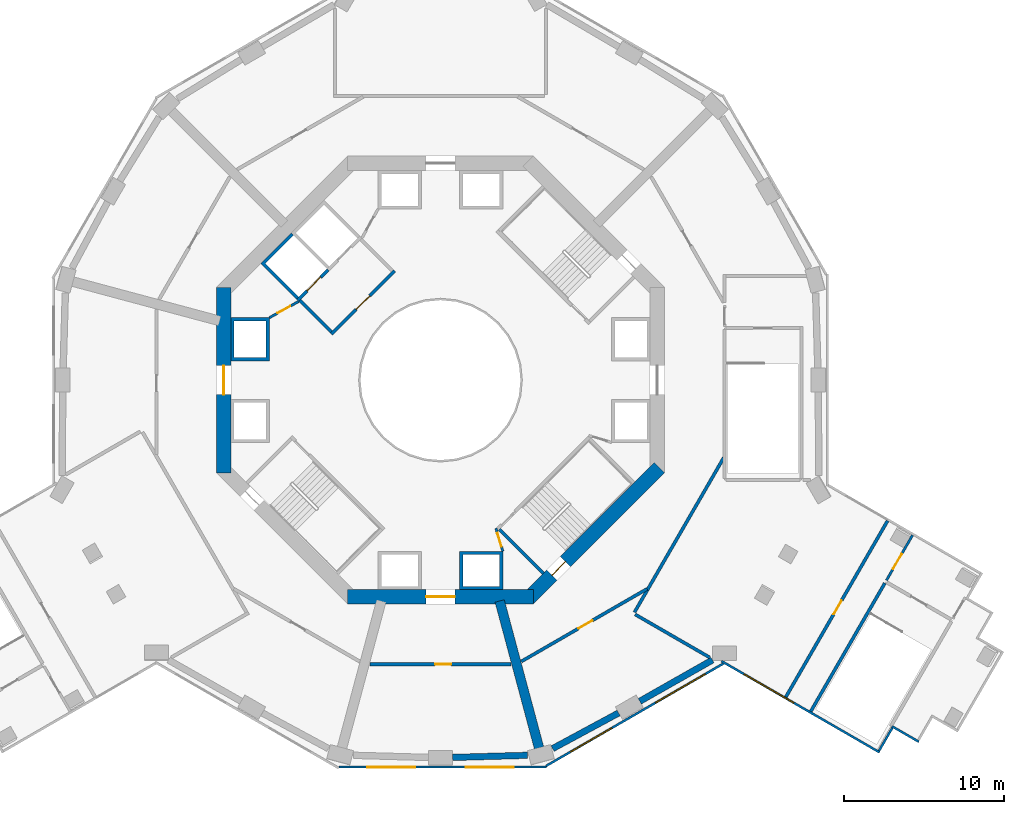
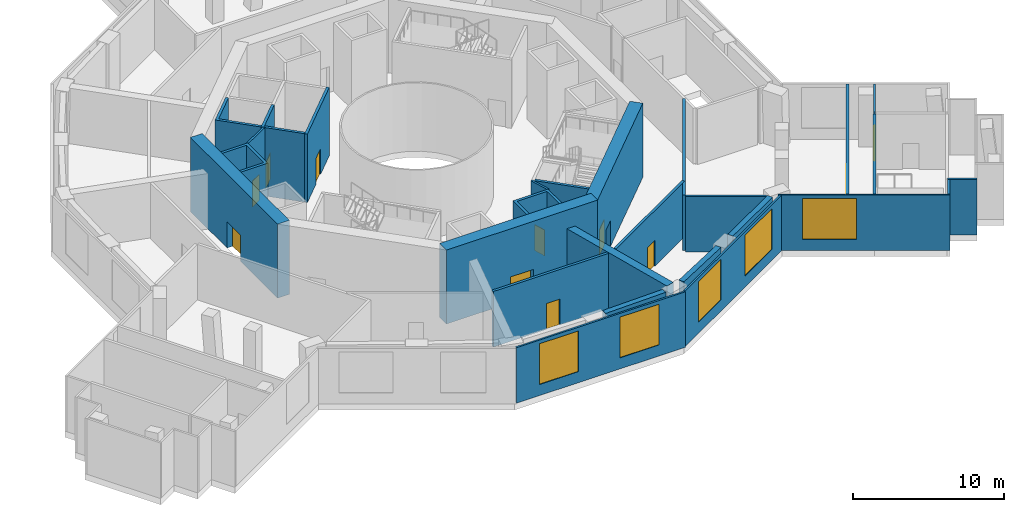
# One storey, part 3 of 12: 28 walls, 11 doors, 5 windows, 16 openings.
"""IFC4 building model written with IfcOpenShell, lengths in metres."""

from ifc_helpers import new_model, si_unit, direction, frame, frame_2d, origin, place, context, subcontext, project, spatial, polyline, rectangle, outline, extrude, material, layer, layer_set, type_object, element, fill, save


model = new_model("IFC4")

# Units and contexts
model_context = context("Model", 3, precision=1e-05, world=origin(), true_north=direction((0.0, 1.0)))
body_context = subcontext(model_context, "Body", "Model", "MODEL_VIEW")
ifc_project = project(units=[si_unit("LENGTHUNIT", "METRE"), si_unit("AREAUNIT", "SQUARE_METRE"), si_unit("VOLUMEUNIT", "CUBIC_METRE"), si_unit("PLANEANGLEUNIT", "RADIAN"), si_unit("MASSUNIT", "GRAM", prefix="KILO")], contexts=[model_context])

# Site, building, storey
site_placement = place(None, origin())
site = spatial("IfcSite", under=ifc_project, at=site_placement, CompositionType="ELEMENT")
building_placement = place(site_placement, origin())
building = spatial("IfcBuilding", under=site, at=building_placement, Name="Verdalira Terraces Hotel", CompositionType="ELEMENT")
storey_placement = place(building_placement, frame((0.0, 0.0, 28.0)))
storey = spatial("IfcBuildingStorey", under=building, at=storey_placement, Name="L05", CompositionType="ELEMENT", Elevation=28.0)

# Walls
ifc_material_1 = material(Name="Concrete C70", Category="concrete")
ifc_layer_1 = layer(ifc_material_1, 0.39990234375)
ifc_layer_set_1 = layer_set([ifc_layer_1], Name="Belt wall 400 C70")
wall_type_1 = type_object("IfcWallType", Name="Belt wall 400 C70", PredefinedType="SHEAR", material=ifc_layer_set_1)
wall_1_placement = place(storey_placement, frame((0.762207, -23.586426, 0.0), z_axis=(0.0, 0.0, 1.0), x_axis=(0.99958902, 0.028666908, 0.0)))
element("IfcWall", 1, at=wall_1_placement, inside=storey, type_object=wall_type_1, Name="Belt wall BW-05-10", PredefinedType="SHEAR", context=body_context, shape_type="SweptSolid", body=[
    extrude(rectangle(XDim=4.684082, YDim=0.399902, at=frame_2d((2.342041, 0.0))), origin(), (0.0, 0.0, 1.0), 4.5),
])
wall_2_placement = place(storey_placement, frame((7.01123, -23.032471, 0.0), z_axis=(0.0, 0.0, 1.0), x_axis=(0.879988629, 0.474994751, 0.0)))
element("IfcWall", 2, at=wall_2_placement, inside=storey, type_object=wall_type_1, Name="Belt wall BW-05-11", PredefinedType="SHEAR", context=body_context, shape_type="SweptSolid", body=[
    extrude(rectangle(XDim=4.683838, YDim=0.399902, at=frame_2d((2.341797, 0.0))), origin(), (0.0, 0.0, 1.0), 4.5),
])
wall_3_placement = place(storey_placement, frame((12.459229, -20.073486, 0.0), z_axis=(0.0, 0.0, 1.0), x_axis=(0.869667461, 0.493638034, 0.0)))
element("IfcWall", 3, at=wall_3_placement, inside=storey, type_object=wall_type_1, Name="Belt wall BW-05-12", PredefinedType="SHEAR", context=body_context, shape_type="SweptSolid", body=[
    extrude(rectangle(XDim=5.21875, YDim=0.399902, at=frame_2d((2.609375, 0.0))), origin(), (0.0, 0.0, 1.0), 4.5),
])
ifc_material_2 = material(Name="Concrete C50", Category="concrete")
ifc_layer_2 = layer(ifc_material_2, 0.199951171875)
ifc_layer_set_2 = layer_set([ifc_layer_2], Name="Core RC wall 200 C50")
wall_type_2 = type_object("IfcWallType", Name="Core RC wall 200 C50", PredefinedType="SOLIDWALL", material=ifc_layer_set_2)
wall_4_placement = place(storey_placement, origin())
element("IfcWall", 4, at=wall_4_placement, inside=storey, type_object=wall_type_2, Name="L05 shaft wall W1", PredefinedType="SOLIDWALL", context=body_context, shape_type="SweptSolid", body=[
    extrude(outline(polyline([(-13.100098, 1.199951), (-13.100098, 3.899902), (-10.699951, 3.899902), (-10.699951, 1.199951), (-13.100098, 1.199951)]), holes=[polyline([(-10.899902, 3.699951), (-12.899902, 3.699951), (-12.899902, 1.399902), (-10.899902, 1.399902), (-10.899902, 3.699951)])]), origin(), (0.0, 0.0, 1.0), 5.550049),
])
wall_5_placement = place(storey_placement, origin())
element("IfcWall", 5, at=wall_5_placement, inside=storey, type_object=wall_type_2, Name="L05 shaft wall S2", PredefinedType="SOLIDWALL", context=body_context, shape_type="SweptSolid", body=[
    extrude(outline(polyline([(3.899902, -10.699951), (3.899902, -13.100098), (1.199951, -13.100098), (1.199951, -10.699951), (3.899902, -10.699951)]), holes=[polyline([(1.399902, -12.899902), (3.699951, -12.899902), (3.699951, -10.899902), (1.399902, -10.899902), (1.399902, -12.899902)])]), origin(), (0.0, 0.0, 1.0), 5.550049),
])
wall_6_placement = place(storey_placement, origin())
element("IfcWall", 6, at=wall_6_placement, inside=storey, type_object=wall_type_2, Name="L05 shaft wall F2", PredefinedType="SOLIDWALL", context=body_context, shape_type="SweptSolid", body=[
    extrude(outline(polyline([(-11.24292, 7.283203), (-9.33374, 9.192383), (-9.192383, 9.051025), (-10.960205, 7.283203), (-8.874268, 5.197266), (-9.015625, 5.055908), (-11.24292, 7.283203)])), origin(), (0.0, 0.0, 1.0), 5.550049),
])

# Wall, opening, door
wall_7_placement = place(storey_placement, frame((-7.035645, 6.894287, 0.0), z_axis=(0.0, 0.0, 1.0), x_axis=(-0.707106781, -0.707106781, 0.0)))
wall_7 = element("IfcWall", 7, at=wall_7_placement, inside=storey, type_object=wall_type_2, Name="L05 shaft front wall F2", PredefinedType="SOLIDWALL", context=body_context, shape_type="SweptSolid", body=[
    extrude(rectangle(XDim=2.699951, YDim=0.199951, at=frame_2d((1.350098, 0.0))), origin(), (0.0, 0.0, 1.0), 5.550049),
])
opening_1_placement = place(wall_7_placement, frame((0.649902, 0.0, 0.0)))
opening_1 = element("IfcOpeningElement", 8, at=opening_1_placement, cuts=wall_7, Name="Opening LD-L05-802", PredefinedType="OPENING", context=body_context, shape_type="SweptSolid", body=[
    extrude(rectangle(XDim=1.199951, YDim=2.100098, at=frame_2d((0.600098, 1.050049))), frame((0.0, 0.109863, 0.0), z_axis=(0.0, -1.0, 0.0), x_axis=(1.0, 0.0, 0.0)), (0.0, 0.0, 1.0), 0.219971),
])
ifc_material_3 = material(Name="Stainless steel", Category="steel")
door_type_1 = type_object("IfcDoorType", Name="Landing door 1200 x 2100", OperationType="NOTDEFINED", PredefinedType="DOOR", material=ifc_material_3)
door_1_placement = place(opening_1_placement, origin())
door_1 = element("IfcDoor", 9, at=door_1_placement, inside=storey, type_object=door_type_1, Name="Lift landing door LF12 L05", OperationType="DOUBLE_DOOR_SLIDING", OverallHeight=2.10009765625, OverallWidth=1.199951171875, PredefinedType="DOOR", context=body_context, shape_type="SweptSolid", body=[
    extrude(rectangle(XDim=1.199951, YDim=2.100098, at=frame_2d((0.600098, 1.050049))), frame((0.0, 0.024902, 0.0), z_axis=(0.0, -1.0, 0.0), x_axis=(1.0, 0.0, 0.0)), (0.0, 0.0, 1.0), 0.050049),
])
fill(opening_1, door_1)

# Wall
wall_8_placement = place(storey_placement, frame((3.677002, -9.33374, 0.0), z_axis=(0.0, 0.0, 1.0), x_axis=(0.707106781, -0.707106781, 0.0)))
element("IfcWall", 10, at=wall_8_placement, inside=storey, type_object=wall_type_2, Name="L05 stair ST3 end wall 1", PredefinedType="SOLIDWALL", context=body_context, shape_type="SweptSolid", body=[
    extrude(rectangle(XDim=3.900146, YDim=0.199951, at=frame_2d((1.950195, 0.0))), origin(), (0.0, 0.0, 1.0), 5.550049),
])

# Wall, opening, door
wall_9_placement = place(storey_placement, frame((-2.86377, 6.823486, 0.0), z_axis=(0.0, 0.0, 1.0), x_axis=(-0.707106781, -0.707106781, 0.0)))
wall_9 = element("IfcWall", 11, at=wall_9_placement, inside=storey, type_object=wall_type_2, Name="L05 fire lobby wall", PredefinedType="SOLIDWALL", context=body_context, shape_type="SweptSolid", body=[
    extrude(rectangle(XDim=5.599854, YDim=0.199951, at=frame_2d((2.799805, 0.0))), origin(), (0.0, 0.0, 1.0), 5.550049),
])
opening_2_placement = place(wall_9_placement, frame((2.199951, 0.0, 0.0)))
opening_2 = element("IfcOpeningElement", 12, at=opening_2_placement, cuts=wall_9, Name="Opening L05-813", PredefinedType="OPENING", context=body_context, shape_type="SweptSolid", body=[
    extrude(rectangle(XDim=1.199951, YDim=2.100098, at=frame_2d((0.600098, 1.050049))), frame((0.0, 0.109863, 0.0), z_axis=(0.0, -1.0, 0.0), x_axis=(1.0, 0.0, 0.0)), (0.0, 0.0, 1.0), 0.219971),
])
ifc_material_4 = material(Name="Steel fire door", Category="steel")
door_type_2 = type_object("IfcDoorType", Name="Lobby door 1200 x 2100", OperationType="NOTDEFINED", PredefinedType="DOOR", material=ifc_material_4)
door_2_placement = place(opening_2_placement, origin())
door_2 = element("IfcDoor", 13, at=door_2_placement, inside=storey, type_object=door_type_2, Name="Fire lobby door L05", OperationType="SINGLE_SWING_LEFT", OverallHeight=2.10009765625, OverallWidth=1.199951171875, PredefinedType="DOOR", context=body_context, shape_type="SweptSolid", body=[
    extrude(rectangle(XDim=1.199951, YDim=2.100098, at=frame_2d((0.600098, 1.050049))), frame((0.0, 0.024902, 0.0), z_axis=(0.0, -1.0, 0.0), x_axis=(1.0, 0.0, 0.0)), (0.0, 0.0, 1.0), 0.050049),
])
fill(opening_2, door_2)

# Wall
wall_10_placement = place(storey_placement, frame((-6.823486, 3.005127, 0.0), z_axis=(0.0, 0.0, 1.0), x_axis=(-0.707106781, 0.707106781, 0.0)))
element("IfcWall", 14, at=wall_10_placement, inside=storey, type_object=wall_type_2, Name="L05 fire lobby wall", PredefinedType="SOLIDWALL", context=body_context, shape_type="SweptSolid", body=[
    extrude(rectangle(XDim=2.800049, YDim=0.199951, at=frame_2d((1.399902, 0.0))), origin(), (0.0, 0.0, 1.0), 5.550049),
])

# Wall, opening, door
ifc_material_5 = material(Name="Gypsum board partition")
ifc_layer_3 = layer(ifc_material_5, 0.14990234375)
ifc_layer_set_3 = layer_set([ifc_layer_3], Name="Core partition 150 mm")
wall_type_3 = type_object("IfcWallType", Name="Core partition 150 mm", PredefinedType="PARTITIONING", material=ifc_layer_set_3)
wall_11_placement = place(storey_placement, frame((-8.874268, 4.914307, 0.0), z_axis=(0.0, 0.0, 1.0), x_axis=(-0.874129705, -0.485692555, 0.0)))
wall_11 = element("IfcWall", 15, at=wall_11_placement, inside=storey, type_object=wall_type_3, Name="Room partition L05", PredefinedType="PARTITIONING", context=body_context, shape_type="SweptSolid", body=[
    extrude(rectangle(XDim=2.088623, YDim=0.149902, at=frame_2d((1.044434, 0.0))), origin(), (0.0, 0.0, 1.0), 5.550049),
])
opening_3_placement = place(wall_11_placement, frame((0.594238, 0.0, 0.0)))
opening_3 = element("IfcOpeningElement", 16, at=opening_3_placement, cuts=wall_11, Name="Opening L05-815", PredefinedType="OPENING", context=body_context, shape_type="SweptSolid", body=[
    extrude(rectangle(XDim=0.899902, YDim=2.100098, at=frame_2d((0.449951, 1.050049))), frame((0.0, 0.084961, 0.0), z_axis=(0.0, -1.0, 0.0), x_axis=(1.0, 0.0, 0.0)), (0.0, 0.0, 1.0), 0.169922),
])
ifc_material_6 = material(Name="Steel fire door", Category="steel")
door_type_3 = type_object("IfcDoorType", Name="Core room door 900 x 2100", OperationType="NOTDEFINED", PredefinedType="DOOR", material=ifc_material_6)
door_3_placement = place(opening_3_placement, origin())
door_3 = element("IfcDoor", 17, at=door_3_placement, inside=storey, type_object=door_type_3, Name="Door L05 room3", OperationType="SINGLE_SWING_LEFT", OverallHeight=2.10009765625, OverallWidth=0.89990234375, PredefinedType="DOOR", context=body_context, shape_type="SweptSolid", body=[
    extrude(rectangle(XDim=0.899902, YDim=2.100098, at=frame_2d((0.449951, 1.050049))), frame((0.0, 0.024902, 0.0), z_axis=(0.0, -1.0, 0.0), x_axis=(1.0, 0.0, 0.0)), (0.0, 0.0, 1.0), 0.050049),
])
fill(opening_3, door_3)

wall_12_placement = place(storey_placement, frame((3.899902, -10.699951, 0.0), z_axis=(0.0, 0.0, 1.0), x_axis=(-0.289808785, 0.957084567, 0.0)))
wall_12 = element("IfcWall", 18, at=wall_12_placement, inside=storey, type_object=wall_type_3, Name="Room partition L05", PredefinedType="PARTITIONING", context=body_context, shape_type="SweptSolid", body=[
    extrude(rectangle(XDim=1.501221, YDim=0.149902, at=frame_2d((0.750488, 0.0))), origin(), (0.0, 0.0, 1.0), 5.550049),
])
opening_4_placement = place(wall_12_placement, frame((0.300781, 0.0, 0.0)))
opening_4 = element("IfcOpeningElement", 19, at=opening_4_placement, cuts=wall_12, Name="Opening L05-816", PredefinedType="OPENING", context=body_context, shape_type="SweptSolid", body=[
    extrude(rectangle(XDim=0.899902, YDim=2.100098, at=frame_2d((0.449951, 1.050049))), frame((0.0, 0.084961, 0.0), z_axis=(0.0, -1.0, 0.0), x_axis=(1.0, 0.0, 0.0)), (0.0, 0.0, 1.0), 0.169922),
])
door_4_placement = place(opening_4_placement, origin())
door_4 = element("IfcDoor", 20, at=door_4_placement, inside=storey, type_object=door_type_3, Name="Door L05 room6", OperationType="SINGLE_SWING_LEFT", OverallHeight=2.10009765625, OverallWidth=0.89990234375, PredefinedType="DOOR", context=body_context, shape_type="SweptSolid", body=[
    extrude(rectangle(XDim=0.899902, YDim=2.100098, at=frame_2d((0.449951, 1.050049))), frame((0.0, 0.024902, 0.0), z_axis=(0.0, -1.0, 0.0), x_axis=(1.0, 0.0, 0.0)), (0.0, 0.0, 1.0), 0.050049),
])
fill(opening_4, door_4)

ifc_material_7 = material(Name="Concrete C70", Category="concrete")
ifc_layer_4 = layer(ifc_material_7, 0.89990234375)
ifc_layer_set_4 = layer_set([ifc_layer_4], Name="Core wall 900 C70")
wall_type_4 = type_object("IfcWallType", Name="Core wall 900 C70", PredefinedType="SHEAR", material=ifc_layer_set_4)
wall_13_placement = place(storey_placement, frame((-13.550049, 5.799072, 0.0), z_axis=(0.0, 0.0, 1.0), x_axis=(0.0, -1.0, 0.0)))
wall_13 = element("IfcWall", 21, at=wall_13_placement, inside=storey, type_object=wall_type_4, Name="Core wall CW-L05-5", PredefinedType="SHEAR", context=body_context, shape_type="SweptSolid", body=[
    extrude(rectangle(XDim=11.598145, YDim=0.899902, at=frame_2d((5.799072, 0.0))), origin(), (0.0, 0.0, 1.0), 6.0),
])
opening_5_placement = place(wall_13_placement, frame((4.898926, 0.0, 0.0)))
opening_5 = element("IfcOpeningElement", 22, at=opening_5_placement, cuts=wall_13, Name="Opening L05-808", PredefinedType="OPENING", context=body_context, shape_type="SweptSolid", body=[
    extrude(rectangle(XDim=1.800049, YDim=2.100098, at=frame_2d((0.899902, 1.050049))), frame((0.0, 0.459961, 0.0), z_axis=(0.0, -1.0, 0.0), x_axis=(1.0, 0.0, 0.0)), (0.0, 0.0, 1.0), 0.919922),
])
ifc_material_8 = material(Name="Steel fire door", Category="steel")
door_type_4 = type_object("IfcDoorType", Name="Core entry door pair 1800 x 2100", OperationType="NOTDEFINED", PredefinedType="DOOR", material=ifc_material_8)
door_5_placement = place(opening_5_placement, origin())
door_5 = element("IfcDoor", 23, at=door_5_placement, inside=storey, type_object=door_type_4, Name="Core entry door L05 4", OperationType="DOUBLE_DOOR_SINGLE_SWING", OverallHeight=2.10009765625, OverallWidth=1.800048828125, PredefinedType="DOOR", context=body_context, shape_type="SweptSolid", body=[
    extrude(rectangle(XDim=1.800049, YDim=2.100098, at=frame_2d((0.899902, 1.050049))), frame((0.0, 0.024902, 0.0), z_axis=(0.0, -1.0, 0.0), x_axis=(1.0, 0.0, 0.0)), (0.0, 0.0, 1.0), 0.050049),
])
fill(opening_5, door_5)

wall_14_placement = place(storey_placement, frame((-5.799072, -13.550049, 0.0), z_axis=(0.0, 0.0, 1.0), x_axis=(1.0, 0.0, 0.0)))
wall_14 = element("IfcWall", 24, at=wall_14_placement, inside=storey, type_object=wall_type_4, Name="Core wall CW-L05-7", PredefinedType="SHEAR", context=body_context, shape_type="SweptSolid", body=[
    extrude(rectangle(XDim=11.598145, YDim=0.899902, at=frame_2d((5.799072, 0.0))), origin(), (0.0, 0.0, 1.0), 6.0),
])
opening_6_placement = place(wall_14_placement, frame((4.898926, 0.0, 0.0)))
opening_6 = element("IfcOpeningElement", 25, at=opening_6_placement, cuts=wall_14, Name="Opening L05-809", PredefinedType="OPENING", context=body_context, shape_type="SweptSolid", body=[
    extrude(rectangle(XDim=1.800049, YDim=2.100098, at=frame_2d((0.899902, 1.050049))), frame((0.0, 0.459961, 0.0), z_axis=(0.0, -1.0, 0.0), x_axis=(1.0, 0.0, 0.0)), (0.0, 0.0, 1.0), 0.919922),
])
door_6_placement = place(opening_6_placement, origin())
door_6 = element("IfcDoor", 26, at=door_6_placement, inside=storey, type_object=door_type_4, Name="Core entry door L05 6", OperationType="DOUBLE_DOOR_SINGLE_SWING", OverallHeight=2.10009765625, OverallWidth=1.800048828125, PredefinedType="DOOR", context=body_context, shape_type="SweptSolid", body=[
    extrude(rectangle(XDim=1.800049, YDim=2.100098, at=frame_2d((0.899902, 1.050049))), frame((0.0, 0.024902, 0.0), z_axis=(0.0, -1.0, 0.0), x_axis=(1.0, 0.0, 0.0)), (0.0, 0.0, 1.0), 0.050049),
])
fill(opening_6, door_6)

wall_15_placement = place(storey_placement, frame((5.480713, -13.681885, 0.0), z_axis=(0.0, 0.0, 1.0), x_axis=(0.707106781, 0.707106781, 0.0)))
wall_15 = element("IfcWall", 27, at=wall_15_placement, inside=storey, type_object=wall_type_4, Name="Core wall CW-L05-8", PredefinedType="SHEAR", context=body_context, shape_type="SweptSolid", body=[
    extrude(rectangle(XDim=11.598145, YDim=0.899902, at=frame_2d((5.799072, 0.0))), origin(), (0.0, 0.0, 1.0), 6.0),
])
opening_7_placement = place(wall_15_placement, frame((2.099121, 0.0, 0.0)))
opening_7 = element("IfcOpeningElement", 28, at=opening_7_placement, cuts=wall_15, Name="Opening L05-812", PredefinedType="OPENING", context=body_context, shape_type="SweptSolid", body=[
    extrude(rectangle(XDim=1.199951, YDim=2.100098, at=frame_2d((0.600098, 1.050049))), frame((0.0, 0.459961, 0.0), z_axis=(0.0, -1.0, 0.0), x_axis=(1.0, 0.0, 0.0)), (0.0, 0.0, 1.0), 0.919922),
])
ifc_material_9 = material(Name="Steel fire door", Category="steel")
door_type_5 = type_object("IfcDoorType", Name="Stair door 1200 x 2100", OperationType="NOTDEFINED", PredefinedType="DOOR", material=ifc_material_9)
door_7_placement = place(opening_7_placement, origin())
door_7 = element("IfcDoor", 29, at=door_7_placement, inside=storey, type_object=door_type_5, Name="Stair exit door ST3 L05", OperationType="SINGLE_SWING_LEFT", OverallHeight=2.10009765625, OverallWidth=1.199951171875, PredefinedType="DOOR", context=body_context, shape_type="SweptSolid", body=[
    extrude(rectangle(XDim=1.199951, YDim=2.100098, at=frame_2d((0.600098, 1.050049))), frame((0.0, 0.024902, 0.0), z_axis=(0.0, -1.0, 0.0), x_axis=(1.0, 0.0, 0.0)), (0.0, 0.0, 1.0), 0.050049),
])
fill(opening_7, door_7)

ifc_material_10 = material(Name="Concrete block masonry", Category="masonry")
ifc_layer_5 = layer(ifc_material_10, 0.199951171875)
ifc_layer_set_5 = layer_set([ifc_layer_5], Name="Fire-rated masonry wall 200 mm")
wall_type_5 = type_object("IfcWallType", Name="Fire-rated masonry wall 200 mm", PredefinedType="SOLIDWALL", material=ifc_layer_set_5)
wall_16_placement = place(storey_placement, frame((4.416748, -17.758301, 0.0), z_axis=(0.0, 0.0, 1.0), x_axis=(-1.0, 0.0, 0.0)))
wall_16 = element("IfcWall", 30, at=wall_16_placement, inside=storey, type_object=wall_type_5, Name="Plant and kitchen enclosure wall", PredefinedType="SOLIDWALL", context=body_context, shape_type="SweptSolid", body=[
    extrude(rectangle(XDim=8.833496, YDim=0.199951, at=frame_2d((4.416748, 0.0))), origin(), (0.0, 0.0, 1.0), 4.5),
])
opening_8_placement = place(wall_16_placement, frame((3.75, 0.0, 0.0)))
opening_8 = element("IfcOpeningElement", 31, at=opening_8_placement, cuts=wall_16, Name="Opening L05-D13", PredefinedType="OPENING", context=body_context, shape_type="SweptSolid", body=[
    extrude(rectangle(XDim=1.0, YDim=2.100098, at=frame_2d((0.5, 1.050049))), frame((0.0, 0.109863, 0.0), z_axis=(0.0, -1.0, 0.0), x_axis=(1.0, 0.0, 0.0)), (0.0, 0.0, 1.0), 0.219971),
])
ifc_material_11 = material(Name="Steel fire door", Category="steel")
door_type_6 = type_object("IfcDoorType", Name="Fire door 1000 x 2100", OperationType="SINGLE_SWING_LEFT", PredefinedType="DOOR", material=ifc_material_11)
door_8_placement = place(opening_8_placement, origin())
door_8 = element("IfcDoor", 32, at=door_8_placement, inside=storey, type_object=door_type_6, Name="Water tank room door", OperationType="SINGLE_SWING_LEFT", OverallHeight=2.10009765625, OverallWidth=1.0, PredefinedType="DOOR", context=body_context, shape_type="SweptSolid", body=[
    extrude(rectangle(XDim=1.0, YDim=2.100098, at=frame_2d((0.5, 1.050049))), frame((0.0, 0.024902, 0.0), z_axis=(0.0, -1.0, 0.0), x_axis=(1.0, 0.0, 0.0)), (0.0, 0.0, 1.0), 0.050049),
])
fill(opening_8, door_8)

# Wall
wall_17_placement = place(storey_placement, frame((12.166016, -14.64502, 0.0), z_axis=(0.0, 0.0, 1.0), x_axis=(0.866004064, -0.50003696, 0.0)))
element("IfcWall", 33, at=wall_17_placement, inside=storey, type_object=wall_type_5, Name="Plant and kitchen enclosure wall", PredefinedType="SOLIDWALL", context=body_context, shape_type="SweptSolid", body=[
    extrude(rectangle(XDim=5.375488, YDim=0.199951, at=frame_2d((2.687744, 0.0))), origin(), (0.0, 0.0, 1.0), 4.5),
])

# Wall, opening, door
wall_18_placement = place(storey_placement, frame((12.91333, -13.050049, 0.0), z_axis=(0.0, 0.0, 1.0), x_axis=(-0.866031025, -0.499990264, 0.0)))
wall_18 = element("IfcWall", 34, at=wall_18_placement, inside=storey, type_object=wall_type_5, Name="Plant and kitchen enclosure wall", PredefinedType="SOLIDWALL", context=body_context, shape_type="SweptSolid", body=[
    extrude(rectangle(XDim=9.074951, YDim=0.199951, at=frame_2d((4.537598, 0.0))), origin(), (0.0, 0.0, 1.0), 4.5),
])
opening_9_placement = place(wall_18_placement, frame((3.949951, 0.0, 0.0)))
opening_9 = element("IfcOpeningElement", 35, at=opening_9_placement, cuts=wall_18, Name="Opening L05-D15", PredefinedType="OPENING", context=body_context, shape_type="SweptSolid", body=[
    extrude(rectangle(XDim=1.0, YDim=2.100098, at=frame_2d((0.5, 1.050049))), frame((0.0, 0.109863, 0.0), z_axis=(0.0, -1.0, 0.0), x_axis=(1.0, 0.0, 0.0)), (0.0, 0.0, 1.0), 0.219971),
])
door_9_placement = place(opening_9_placement, origin())
door_9 = element("IfcDoor", 36, at=door_9_placement, inside=storey, type_object=door_type_6, Name="Generator room door", OperationType="SINGLE_SWING_LEFT", OverallHeight=2.10009765625, OverallWidth=1.0, PredefinedType="DOOR", context=body_context, shape_type="SweptSolid", body=[
    extrude(rectangle(XDim=1.0, YDim=2.100098, at=frame_2d((0.5, 1.050049))), frame((0.0, 0.024902, 0.0), z_axis=(0.0, -1.0, 0.0), x_axis=(1.0, 0.0, 0.0)), (0.0, 0.0, 1.0), 0.050049),
])
fill(opening_9, door_9)

# Wall
wall_19_placement = place(storey_placement, frame((17.708252, -4.844971, 0.0), z_axis=(0.0, 0.0, 1.0), x_axis=(-0.499998343, -0.866026361, 0.0)))
element("IfcWall", 37, at=wall_19_placement, inside=storey, type_object=wall_type_5, Name="Plant and kitchen enclosure wall", PredefinedType="SOLIDWALL", context=body_context, shape_type="SweptSolid", body=[
    extrude(rectangle(XDim=11.158203, YDim=0.199951, at=frame_2d((5.579102, 0.0))), origin(), (0.0, 0.0, 1.0), 4.5),
])

# Wall, opening, door
wall_20_placement = place(storey_placement, frame((21.588379, -19.807861, 0.0), z_axis=(0.0, 0.0, 1.0), x_axis=(0.499991053, 0.866030569, 0.0)))
wall_20 = element("IfcWall", 38, at=wall_20_placement, inside=storey, type_object=wall_type_5, Name="Plant and kitchen enclosure wall", PredefinedType="SOLIDWALL", context=body_context, shape_type="SweptSolid", body=[
    extrude(rectangle(XDim=12.719971, YDim=0.199951, at=frame_2d((6.359863, 0.0))), origin(), (0.0, 0.0, 1.0), 4.5),
])
opening_10_placement = place(wall_20_placement, frame((5.969971, 0.0, 0.0)))
opening_10 = element("IfcOpeningElement", 39, at=opening_10_placement, cuts=wall_20, Name="Opening L05-D19", PredefinedType="OPENING", context=body_context, shape_type="SweptSolid", body=[
    extrude(rectangle(XDim=1.0, YDim=2.100098, at=frame_2d((0.5, 1.050049))), frame((0.0, 0.109863, 0.0), z_axis=(0.0, -1.0, 0.0), x_axis=(1.0, 0.0, 0.0)), (0.0, 0.0, 1.0), 0.219971),
])
door_10_placement = place(opening_10_placement, origin())
door_10 = element("IfcDoor", 40, at=door_10_placement, inside=storey, type_object=door_type_6, Name="Plant room door", OperationType="SINGLE_SWING_LEFT", OverallHeight=2.10009765625, OverallWidth=1.0, PredefinedType="DOOR", context=body_context, shape_type="SweptSolid", body=[
    extrude(rectangle(XDim=1.0, YDim=2.100098, at=frame_2d((0.5, 1.050049))), frame((0.0, 0.024902, 0.0), z_axis=(0.0, -1.0, 0.0), x_axis=(1.0, 0.0, 0.0)), (0.0, 0.0, 1.0), 0.050049),
])
fill(opening_10, door_10)

ifc_material_12 = material(Name="Gypsum board partition on steel stud", Category="steel")
ifc_layer_6 = layer(ifc_material_12, 0.14990234375)
ifc_layer_set_6 = layer_set([ifc_layer_6], Name="Fire-rated partition 150 mm")
wall_type_6 = type_object("IfcWallType", Name="Fire-rated partition 150 mm", PredefinedType="PARTITIONING", material=ifc_layer_set_6)
wall_21_placement = place(storey_placement, frame((27.877197, -12.515381, 0.0), z_axis=(0.0, 0.0, 1.0), x_axis=(0.499973122, 0.866040921, 0.0)))
wall_21 = element("IfcWall", 41, at=wall_21_placement, inside=storey, type_object=wall_type_6, Name="Partition", PredefinedType="PARTITIONING", context=body_context, shape_type="SweptSolid", body=[
    extrude(rectangle(XDim=3.26001, YDim=0.149902, at=frame_2d((1.629883, 0.0))), origin(), (0.0, 0.0, 1.0), 4.5),
])
opening_11_placement = place(wall_21_placement, frame((0.810303, 0.0, 0.0)))
opening_11 = element("IfcOpeningElement", 42, at=opening_11_placement, cuts=wall_21, Name="Opening L05-D20", PredefinedType="OPENING", context=body_context, shape_type="SweptSolid", body=[
    extrude(rectangle(XDim=1.100098, YDim=2.100098, at=frame_2d((0.550049, 1.050049))), frame((0.0, 0.084961, 0.0), z_axis=(0.0, -1.0, 0.0), x_axis=(1.0, 0.0, 0.0)), (0.0, 0.0, 1.0), 0.169922),
])
ifc_material_13 = material(Name="Steel fire door", Category="steel")
door_type_7 = type_object("IfcDoorType", Name="Stair door 1100 x 2100", OperationType="SINGLE_SWING_LEFT", PredefinedType="DOOR", material=ifc_material_13)
door_11_placement = place(opening_11_placement, origin())
door_11 = element("IfcDoor", 43, at=door_11_placement, inside=storey, type_object=door_type_7, Name="Stair door Stair approach corridor", OperationType="SINGLE_SWING_RIGHT", OverallHeight=2.10009765625, OverallWidth=1.10009765625, PredefinedType="DOOR", context=body_context, shape_type="SweptSolid", body=[
    extrude(rectangle(XDim=1.100098, YDim=2.100098, at=frame_2d((0.550049, 1.050049))), frame((0.0, 0.024902, 0.0), z_axis=(0.0, -1.0, 0.0), x_axis=(1.0, 0.0, 0.0)), (0.0, 0.0, 1.0), 0.050049),
])
fill(opening_11, door_11)

# Walls
ifc_material_14 = material(Name="Concrete C70", Category="concrete")
ifc_layer_7 = layer(ifc_material_14, 0.60009765625)
ifc_layer_set_7 = layer_set([ifc_layer_7], Name="Outrigger wall 600 C70")
wall_type_7 = type_object("IfcWallType", Name="Outrigger wall 600 C70", PredefinedType="SHEAR", material=ifc_layer_set_7)
wall_22_placement = place(storey_placement, frame((3.699463, -13.806885, 0.0), z_axis=(0.0, 0.0, 1.0), x_axis=(0.258827184, -0.965923645, 0.0)))
element("IfcWall", 44, at=wall_22_placement, inside=storey, type_object=wall_type_7, Name="Outrigger wall OW-05-4", PredefinedType="SHEAR", context=body_context, shape_type="SweptSolid", body=[
    extrude(rectangle(XDim=9.510742, YDim=0.600098, at=frame_2d((4.755371, 0.0))), origin(), (0.0, 0.0, 1.0), 4.5),
])
ifc_material_15 = material(Name="Concrete C50", Category="concrete")
ifc_layer_8 = layer(ifc_material_15, 0.199951171875)
ifc_layer_set_8 = layer_set([ifc_layer_8], Name="Stair enclosure wall 200 mm")
wall_type_8 = type_object("IfcWallType", Name="Stair enclosure wall 200 mm", PredefinedType="SOLIDWALL", material=ifc_layer_set_8)
wall_23_placement = place(storey_placement, frame((27.777344, -12.688477, 0.0), z_axis=(0.0, 0.0, 1.0), x_axis=(-0.500003922, -0.866023139, 0.0)))
element("IfcWall", 45, at=wall_23_placement, inside=storey, type_object=wall_type_8, Name="Stair enclosure wall", PredefinedType="SOLIDWALL", context=body_context, shape_type="SweptSolid", body=[
    extrude(rectangle(XDim=9.260254, YDim=0.199951, at=frame_2d((4.630127, 0.0))), origin(), (0.0, 0.0, 1.0), 4.5),
])

# Wall, opening, window
ifc_material_16 = material(Name="Concrete C40", Category="concrete")
ifc_layer_9 = layer(ifc_material_16, 0.139892578125)
ifc_layer_set_9 = layer_set([ifc_layer_9], Name="Terracotta clad concrete wall C40 140 mm")
wall_type_9 = type_object("IfcWallType", Name="Terracotta clad concrete wall C40 140 mm", PredefinedType="SOLIDWALL", material=ifc_layer_set_9)
wall_24_placement = place(storey_placement, frame((17.56543, -17.566162, 0.0), z_axis=(0.0, 0.0, 1.0), x_axis=(0.866028022, -0.499995465, 0.0)))
wall_24 = element("IfcWall", 46, at=wall_24_placement, inside=storey, type_object=wall_type_9, Name="Podium facade wall", PredefinedType="SOLIDWALL", context=body_context, shape_type="SweptSolid", body=[
    extrude(rectangle(XDim=11.404785, YDim=0.139893, at=frame_2d((5.702393, 0.0))), origin(), (0.0, 0.0, 1.0), 4.5),
])
opening_12_placement = place(wall_24_placement, frame((1.623047, 0.0, 0.899902)))
opening_12 = element("IfcOpeningElement", 47, at=opening_12_placement, cuts=wall_24, Name="Opening WL", PredefinedType="OPENING", context=body_context, shape_type="SweptSolid", body=[
    extrude(rectangle(XDim=3.600098, YDim=3.300049, at=frame_2d((1.800049, 1.649902))), frame((0.0, 0.079834, 0.0), z_axis=(0.0, -1.0, 0.0), x_axis=(1.0, 0.0, 0.0)), (0.0, 0.0, 1.0), 0.159912),
])
ifc_material_17 = material(Name="Terracotta louvre", Category="masonry")
window_type_1 = type_object("IfcWindowType", Name="Plant louvre 3600 x 3300", PartitioningType="SINGLE_PANEL", PredefinedType="WINDOW", material=ifc_material_17)
window_1_placement = place(opening_12_placement, origin())
window_1 = element("IfcWindow", 48, at=window_1_placement, inside=storey, type_object=window_type_1, Name="Podium window", OverallHeight=3.300048828125, OverallWidth=3.60009765625, PartitioningType="SINGLE_PANEL", PredefinedType="WINDOW", context=body_context, shape_type="SweptSolid", body=[
    extrude(rectangle(XDim=3.600098, YDim=3.300049, at=frame_2d((1.800049, 1.649902))), frame((0.0, 0.030029, 0.0), z_axis=(0.0, -1.0, 0.0), x_axis=(1.0, 0.0, 0.0)), (0.0, 0.0, 1.0), 0.060059),
])
fill(opening_12, window_1)

# Walls
wall_25_placement = place(storey_placement, frame((27.416748, -23.172852, 0.0), z_axis=(0.0, 0.0, 1.0), x_axis=(0.499951638, 0.866053324, 0.0)))
element("IfcWall", 49, at=wall_25_placement, inside=storey, type_object=wall_type_9, Name="Podium facade wall", PredefinedType="SOLIDWALL", context=body_context, shape_type="SweptSolid", body=[
    extrude(rectangle(XDim=1.659912, YDim=0.139893, at=frame_2d((0.830078, 0.0))), origin(), (0.0, 0.0, 1.0), 4.5),
])
wall_26_placement = place(storey_placement, frame((28.221191, -21.639648, 0.0), z_axis=(0.0, 0.0, 1.0), x_axis=(0.866011627, -0.500023862, 0.0)))
element("IfcWall", 50, at=wall_26_placement, inside=storey, type_object=wall_type_9, Name="Podium facade wall", PredefinedType="SOLIDWALL", context=body_context, shape_type="SweptSolid", body=[
    extrude(rectangle(XDim=1.939941, YDim=0.139893, at=frame_2d((0.969971, 0.0))), origin(), (0.0, 0.0, 1.0), 4.5),
])

# Wall, openings, windows
ifc_material_18 = material(Name="Terracotta cladding on steel stud backup", Category="masonry")
ifc_layer_10 = layer(ifc_material_18, 0.139892578125)
ifc_layer_set_10 = layer_set([ifc_layer_10], Name="Terracotta clad wall 140 mm")
wall_type_10 = type_object("IfcWallType", Name="Terracotta clad wall 140 mm", PredefinedType="SOLIDWALL", material=ifc_layer_set_10)
wall_27_placement = place(storey_placement, frame((-6.341309, -24.188232, 0.0), z_axis=(0.0, 0.0, 1.0), x_axis=(1.0, 0.0, 0.0)))
wall_27 = element("IfcWall", 51, at=wall_27_placement, inside=storey, type_object=wall_type_10, Name="Podium facade wall", PredefinedType="SOLIDWALL", context=body_context, shape_type="SweptSolid", body=[
    extrude(rectangle(XDim=12.962402, YDim=0.139893, at=frame_2d((6.481201, 0.0))), origin(), (0.0, 0.0, 1.0), 4.5),
])
opening_13_placement = place(wall_27_placement, frame((1.747803, 0.0, 0.899902)))
opening_13 = element("IfcOpeningElement", 52, at=opening_13_placement, cuts=wall_27, Name="Opening WL", PredefinedType="OPENING", context=body_context, shape_type="SweptSolid", body=[
    extrude(rectangle(XDim=3.0, YDim=3.300049, at=frame_2d((1.5, 1.649902))), frame((0.0, 0.079834, 0.0), z_axis=(0.0, -1.0, 0.0), x_axis=(1.0, 0.0, 0.0)), (0.0, 0.0, 1.0), 0.159912),
])
opening_14_placement = place(wall_27_placement, frame((7.93457, 0.0, 0.899902)))
opening_14 = element("IfcOpeningElement", 53, at=opening_14_placement, cuts=wall_27, Name="Opening WL", PredefinedType="OPENING", context=body_context, shape_type="SweptSolid", body=[
    extrude(rectangle(XDim=3.0, YDim=3.300049, at=frame_2d((1.5, 1.649902))), frame((0.0, 0.079834, 0.0), z_axis=(0.0, -1.0, 0.0), x_axis=(1.0, 0.0, 0.0)), (0.0, 0.0, 1.0), 0.159912),
])
ifc_material_19 = material(Name="Terracotta louvre", Category="masonry")
window_type_2 = type_object("IfcWindowType", Name="Plant louvre 3000 x 3300", PartitioningType="SINGLE_PANEL", PredefinedType="WINDOW", material=ifc_material_19)
window_2_placement = place(opening_13_placement, origin())
window_2 = element("IfcWindow", 54, at=window_2_placement, inside=storey, type_object=window_type_2, Name="Podium window", OverallHeight=3.300048828125, OverallWidth=3.0, PartitioningType="SINGLE_PANEL", PredefinedType="WINDOW", context=body_context, shape_type="SweptSolid", body=[
    extrude(rectangle(XDim=3.0, YDim=3.300049, at=frame_2d((1.5, 1.649902))), frame((0.0, 0.030029, 0.0), z_axis=(0.0, -1.0, 0.0), x_axis=(1.0, 0.0, 0.0)), (0.0, 0.0, 1.0), 0.060059),
])
fill(opening_13, window_2)
window_3_placement = place(opening_14_placement, origin())
window_3 = element("IfcWindow", 55, at=window_3_placement, inside=storey, type_object=window_type_2, Name="Podium window", OverallHeight=3.300048828125, OverallWidth=3.0, PartitioningType="SINGLE_PANEL", PredefinedType="WINDOW", context=body_context, shape_type="SweptSolid", body=[
    extrude(rectangle(XDim=3.0, YDim=3.300049, at=frame_2d((1.5, 1.649902))), frame((0.0, 0.030029, 0.0), z_axis=(0.0, -1.0, 0.0), x_axis=(1.0, 0.0, 0.0)), (0.0, 0.0, 1.0), 0.060059),
])
fill(opening_14, window_3)

wall_28_placement = place(storey_placement, frame((6.602539, -24.118408, 0.0), z_axis=(0.0, 0.0, 1.0), x_axis=(0.866023287, 0.500003667, 0.0)))
wall_28 = element("IfcWall", 56, at=wall_28_placement, inside=storey, type_object=wall_type_10, Name="Podium facade wall", PredefinedType="SOLIDWALL", context=body_context, shape_type="SweptSolid", body=[
    extrude(rectangle(XDim=12.800781, YDim=0.139893, at=frame_2d((6.400391, 0.0))), origin(), (0.0, 0.0, 1.0), 4.5),
])
opening_15_placement = place(wall_28_placement, frame((1.747803, 0.0, 0.899902)))
opening_15 = element("IfcOpeningElement", 57, at=opening_15_placement, cuts=wall_28, Name="Opening WL", PredefinedType="OPENING", context=body_context, shape_type="SweptSolid", body=[
    extrude(rectangle(XDim=3.0, YDim=3.300049, at=frame_2d((1.5, 1.649902))), frame((0.0, 0.079834, 0.0), z_axis=(0.0, -1.0, 0.0), x_axis=(1.0, 0.0, 0.0)), (0.0, 0.0, 1.0), 0.159912),
])
opening_16_placement = place(wall_28_placement, frame((7.9021, 0.0, 0.899902)))
opening_16 = element("IfcOpeningElement", 58, at=opening_16_placement, cuts=wall_28, Name="Opening WL", PredefinedType="OPENING", context=body_context, shape_type="SweptSolid", body=[
    extrude(rectangle(XDim=3.600098, YDim=3.300049, at=frame_2d((1.800049, 1.649902))), frame((0.0, 0.079834, 0.0), z_axis=(0.0, -1.0, 0.0), x_axis=(1.0, 0.0, 0.0)), (0.0, 0.0, 1.0), 0.159912),
])
window_4_placement = place(opening_15_placement, origin())
window_4 = element("IfcWindow", 59, at=window_4_placement, inside=storey, type_object=window_type_2, Name="Podium window", OverallHeight=3.300048828125, OverallWidth=3.0, PartitioningType="SINGLE_PANEL", PredefinedType="WINDOW", context=body_context, shape_type="SweptSolid", body=[
    extrude(rectangle(XDim=3.0, YDim=3.300049, at=frame_2d((1.5, 1.649902))), frame((0.0, 0.030029, 0.0), z_axis=(0.0, -1.0, 0.0), x_axis=(1.0, 0.0, 0.0)), (0.0, 0.0, 1.0), 0.060059),
])
fill(opening_15, window_4)
window_5_placement = place(opening_16_placement, origin())
window_5 = element("IfcWindow", 60, at=window_5_placement, inside=storey, type_object=window_type_1, Name="Podium window", OverallHeight=3.300048828125, OverallWidth=3.60009765625, PartitioningType="SINGLE_PANEL", PredefinedType="WINDOW", context=body_context, shape_type="SweptSolid", body=[
    extrude(rectangle(XDim=3.600098, YDim=3.300049, at=frame_2d((1.800049, 1.649902))), frame((0.0, 0.030029, 0.0), z_axis=(0.0, -1.0, 0.0), x_axis=(1.0, 0.0, 0.0)), (0.0, 0.0, 1.0), 0.060059),
])
fill(opening_16, window_5)

save(model, "model.ifc")
